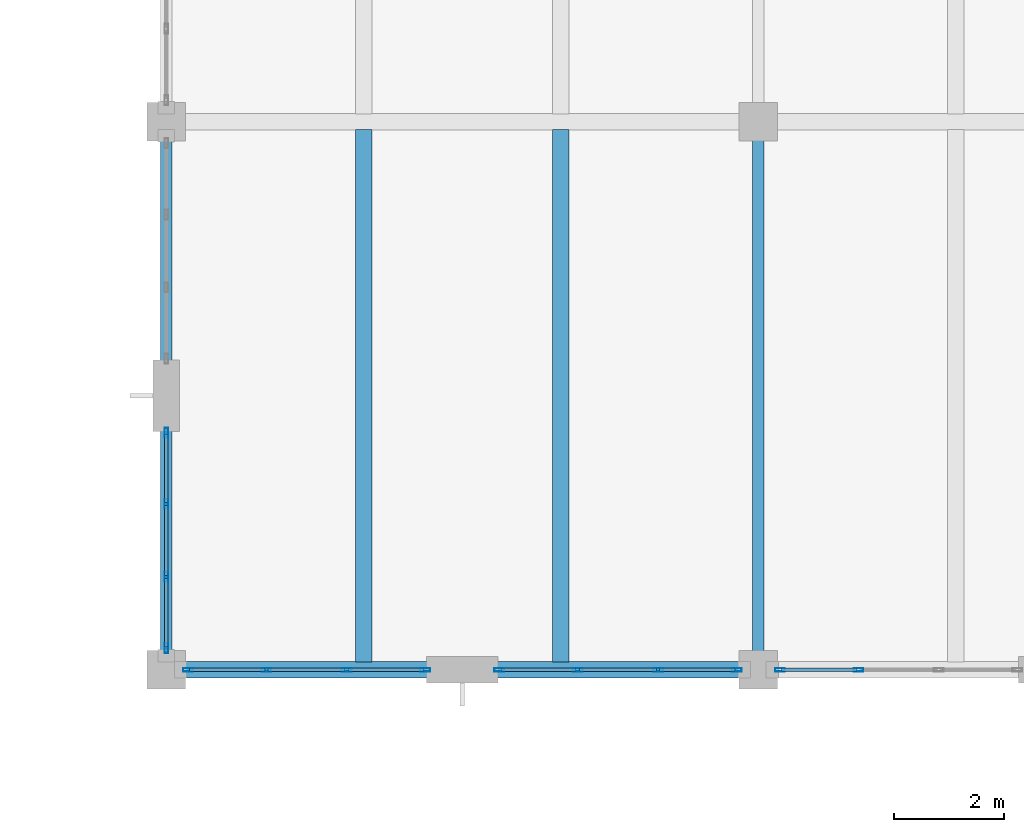
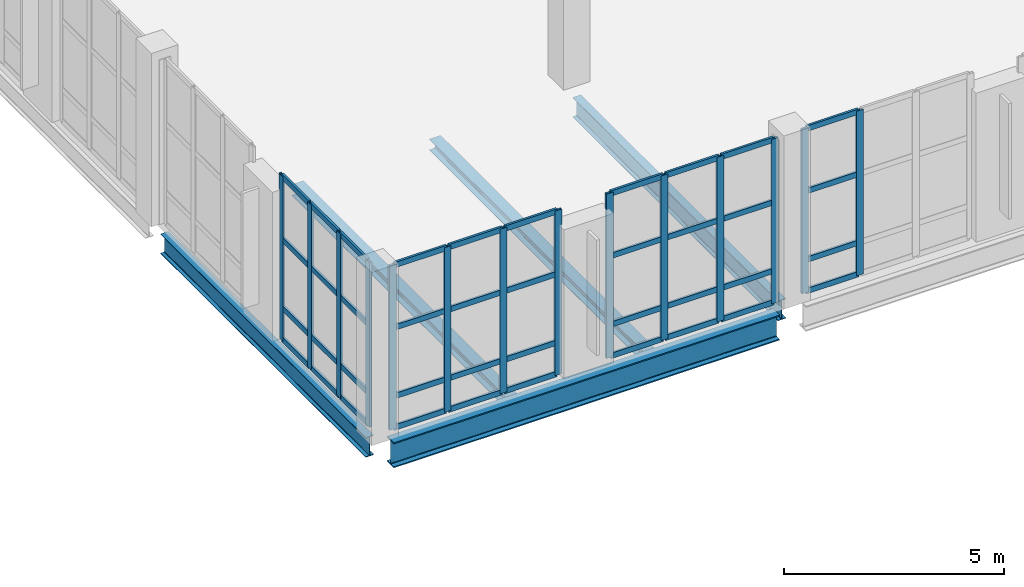
# One storey, part 27 of 92: 54 members, 5 beams, 4 elements without a shape of their own.
"""IFC4 building model written with IfcOpenShell, lengths in metres."""

from ifc_helpers import new_model, si_unit, direction, frame, origin, origin_2d, place, context, subcontext, project, spatial, hollow_rectangle, i_section, extrude, material, layer, layer_set, material_profile, profile_set, type_object, element, aggregate, save


model = new_model("IFC4")

# Units and contexts
model_context = context("Model", 3, precision=1e-05, world=origin(), true_north=direction((0.0, 1.0)))
body_context = subcontext(model_context, "Body", "Model", "MODEL_VIEW")
ifc_project = project(units=[si_unit("LENGTHUNIT", "METRE"), si_unit("AREAUNIT", "SQUARE_METRE"), si_unit("VOLUMEUNIT", "CUBIC_METRE"), si_unit("PLANEANGLEUNIT", "RADIAN"), si_unit("MASSUNIT", "GRAM", prefix="KILO")], contexts=[model_context])

# Site, building, storey
site_placement = place(None, origin())
site = spatial("IfcSite", under=ifc_project, at=site_placement, CompositionType="ELEMENT")
building_placement = place(site_placement, origin())
building = spatial("IfcBuilding", under=site, at=building_placement, Name="Tasgan Crest Museum", CompositionType="ELEMENT")
storey_placement = place(building_placement, frame((0.0, 0.0, 4.800048828125)))
storey = spatial("IfcBuildingStorey", under=building, at=storey_placement, Name="L01", CompositionType="ELEMENT", Elevation=4.800048828125)

# Beams
ifc_material_1 = material(Name="Steel S355K2", Category="steel")
ifc_material_profile_1 = material_profile(ifc_material_1, i_section(OverallWidth=0.300048828125, OverallDepth=0.699951171875, WebThickness=0.01708984375, FlangeThickness=0.031982421875, FilletRadius=0.027099609375, at=origin_2d()), Name="HEB 700")
ifc_profile_set_1 = profile_set([ifc_material_profile_1], Name="Steel S355K2")
beam_type_1 = type_object("IfcBeamType", Name="BM-G-HEB700", PredefinedType="BEAM", material=ifc_profile_set_1)
beam_placement = place(storey_placement, frame((108.345947265625, 10.0, -0.630126953125), z_axis=(1.0, 0.0, 0.0), x_axis=(0.0, 1.0, 0.0)))
element("IfcBeam", 1, at=beam_placement, inside=storey, type_object=beam_type_1, Name="Girder L01 B 108.0-118.8", PredefinedType="BEAM", context=body_context, shape_type="SweptSolid", body=[
    extrude(i_section(OverallWidth=0.300048828125, OverallDepth=0.699951171875, WebThickness=0.01708984375, FlangeThickness=0.031982421875, FilletRadius=0.027099609375, at=origin_2d()), origin(), (0.0, 0.0, 1.0), 10.108154296875),
])
ifc_material_2 = material(Name="Steel S355J2", Category="steel")
ifc_material_profile_2 = material_profile(ifc_material_2, i_section(OverallWidth=0.2099609375, OverallDepth=0.550048828125, WebThickness=0.010986328125, FlangeThickness=0.01708984375, FilletRadius=0.02392578125, at=origin_2d()), Name="IPE 550")
ifc_profile_set_2 = profile_set([ifc_material_profile_2], Name="Steel S355J2")
beam_type_2 = type_object("IfcBeamType", Name="BM-G-IPE550", PredefinedType="BEAM", material=ifc_profile_set_2)
for number, where, z_axis, x_axis, name in (
    (2, (108.0, 10.344970703125, -0.554931640625), (0.0, 1.0, 0.0), (-1.0, 0.0, 0.0), "Beam L01 11 10.0-20.0"),
    (3, (118.800048828125, 10.344970703125, -0.554931640625), (0.0, 1.0, 0.0), (-1.0, 0.0, 0.0), "Beam L01 12 10.0-20.0"),
):
    element("IfcBeam", number, at=place(storey_placement, frame(where, z_axis=z_axis, x_axis=x_axis)), inside=storey, type_object=beam_type_2, Name=name, PredefinedType="BEAM", context=body_context, shape_type="SweptSolid", body=[
        extrude(i_section(OverallWidth=0.2099609375, OverallDepth=0.550048828125, WebThickness=0.010986328125, FlangeThickness=0.01708984375, FilletRadius=0.02392578125, at=origin_2d()), origin(), (0.0, 0.0, 1.0), 9.31005859375),
    ])
ifc_material_3 = material(Name="Steel S355J2", Category="steel")
ifc_material_profile_3 = material_profile(ifc_material_3, i_section(OverallWidth=0.300048828125, OverallDepth=0.31005859375, WebThickness=0.009033203125, FlangeThickness=0.015380859375, FilletRadius=0.027099609375, at=origin_2d()), Name="HEA 320")
ifc_profile_set_3 = profile_set([ifc_material_profile_3], Name="Steel S355J2")
beam_type_3 = type_object("IfcBeamType", Name="BM-J-HEA320", PredefinedType="JOIST", material=ifc_profile_set_3)
for number, where, z_axis, x_axis, name in (
    (4, (111.60009765625, 10.14501953125, -0.43505859375), (0.0, 1.0, 0.0), (-1.0, 0.0, 0.0), "Secondary joist L01 X=111.6 Y=10.0-20.0"),
    (5, (115.199951171875, 10.14501953125, -0.43505859375), (0.0, 1.0, 0.0), (-1.0, 0.0, 0.0), "Secondary joist L01 X=115.2 Y=10.0-20.0"),
):
    element("IfcBeam", number, at=place(storey_placement, frame(where, z_axis=z_axis, x_axis=x_axis)), inside=storey, type_object=beam_type_3, Name=name, PredefinedType="JOIST", context=body_context, shape_type="SweptSolid", body=[
        extrude(i_section(OverallWidth=0.300048828125, OverallDepth=0.31005859375, WebThickness=0.009033203125, FlangeThickness=0.015380859375, FilletRadius=0.027099609375, at=origin_2d()), origin(), (0.0, 0.0, 1.0), 9.7099609375),
    ])

# Curtain wall, members
ifc_material_4 = material(Name="Triple-Glazed Aluminium Curtain Wall", Category="aluminium")
ifc_layer_1 = layer(ifc_material_4, 0.179931640625, Name="CW-PORCH-Y")
ifc_layer_set_1 = layer_set([ifc_layer_1], Name="Triple-Glazed Aluminium Curtain Wall")
curtain_wall_type_1 = type_object("IfcCurtainWallType", Name="CW-PORCH-Y", PredefinedType="NOTDEFINED", material=ifc_layer_set_1)
curtain_wall_1_placement = place(storey_placement, origin())
curtain_wall_1 = element("IfcCurtainWall", 6, at=curtain_wall_1_placement, inside=storey, type_object=curtain_wall_type_1, Name="Curtain wall L01 042", PredefinedType="NOTDEFINED")
ifc_material_5 = material(Name="Anodised Aluminium", Category="aluminium")
ifc_material_profile_4 = material_profile(ifc_material_5, hollow_rectangle(XDim=0.06494140625, YDim=0.179931640625, WallThickness=0.0048828125, at=origin_2d()), Name="ALU MULLION 180x65x5")
ifc_profile_set_4 = profile_set([ifc_material_profile_4], Name="Anodised Aluminium")
member_type_1 = type_object("IfcMemberType", Name="CW-MULLION-180", PredefinedType="MULLION", material=ifc_profile_set_4)
member_1_placement = place(storey_placement, frame((108.0, 14.324951171875, 0.0), z_axis=(0.0, 0.0, 1.0), x_axis=(1.0, 0.0, 0.0)))
member_1 = element("IfcMember", 7, at=member_1_placement, type_object=member_type_1, Name="CW02 mullion 1", PredefinedType="MULLION", context=body_context, shape_type="SweptSolid", body=[
    extrude(hollow_rectangle(XDim=0.06494140625, YDim=0.179931640625, WallThickness=0.0048828125, at=origin_2d()), origin(), (0.0, 0.0, 1.0), 4.56005859375),
])
member_2_placement = place(storey_placement, frame((108.0, 13.02490234375, 0.0), z_axis=(0.0, 0.0, 1.0), x_axis=(1.0, 0.0, 0.0)))
member_2 = element("IfcMember", 8, at=member_2_placement, type_object=member_type_1, Name="CW02 mullion 2", PredefinedType="MULLION", context=body_context, shape_type="SweptSolid", body=[
    extrude(hollow_rectangle(XDim=0.06494140625, YDim=0.179931640625, WallThickness=0.0048828125, at=origin_2d()), origin(), (0.0, 0.0, 1.0), 4.56005859375),
])
member_3_placement = place(storey_placement, frame((108.0, 11.695068359375, 0.0), z_axis=(0.0, 0.0, 1.0), x_axis=(1.0, 0.0, 0.0)))
member_3 = element("IfcMember", 9, at=member_3_placement, type_object=member_type_1, Name="CW02 mullion 3", PredefinedType="MULLION", context=body_context, shape_type="SweptSolid", body=[
    extrude(hollow_rectangle(XDim=0.06494140625, YDim=0.179931640625, WallThickness=0.0048828125, at=origin_2d()), origin(), (0.0, 0.0, 1.0), 4.56005859375),
])
member_4_placement = place(storey_placement, frame((108.0, 10.39501953125, 0.0), z_axis=(0.0, 0.0, 1.0), x_axis=(1.0, 0.0, 0.0)))
member_4 = element("IfcMember", 10, at=member_4_placement, type_object=member_type_1, Name="CW02 mullion 4", PredefinedType="MULLION", context=body_context, shape_type="SweptSolid", body=[
    extrude(hollow_rectangle(XDim=0.06494140625, YDim=0.179931640625, WallThickness=0.0048828125, at=origin_2d()), origin(), (0.0, 0.0, 1.0), 4.56005859375),
])

ifc_material_6 = material(Name="Triple-Glazed Aluminium Curtain Wall", Category="aluminium")
ifc_layer_2 = layer(ifc_material_6, 0.179931640625, Name="CW-PORCH-X")
ifc_layer_set_2 = layer_set([ifc_layer_2], Name="Triple-Glazed Aluminium Curtain Wall")
curtain_wall_type_2 = type_object("IfcCurtainWallType", Name="CW-PORCH-X", PredefinedType="NOTDEFINED", material=ifc_layer_set_2)
curtain_wall_2_placement = place(storey_placement, origin())
curtain_wall_2 = element("IfcCurtainWall", 11, at=curtain_wall_2_placement, inside=storey, type_object=curtain_wall_type_2, Name="Curtain wall L01 043", PredefinedType="NOTDEFINED")
member_5_placement = place(storey_placement, frame((108.39501953125, 10.0, 0.0), z_axis=(0.0, 0.0, 1.0), x_axis=(0.0, 1.0, 0.0)))
member_5 = element("IfcMember", 12, at=member_5_placement, type_object=member_type_1, Name="CW01 mullion 1", PredefinedType="MULLION", context=body_context, shape_type="SweptSolid", body=[
    extrude(hollow_rectangle(XDim=0.06494140625, YDim=0.179931640625, WallThickness=0.0048828125, at=origin_2d()), origin(), (0.0, 0.0, 1.0), 4.56005859375),
])
member_6_placement = place(storey_placement, frame((109.828369140625, 10.0, 0.0), z_axis=(0.0, 0.0, 1.0), x_axis=(0.0, 1.0, 0.0)))
member_6 = element("IfcMember", 13, at=member_6_placement, type_object=member_type_1, Name="CW01 mullion 2", PredefinedType="MULLION", context=body_context, shape_type="SweptSolid", body=[
    extrude(hollow_rectangle(XDim=0.06494140625, YDim=0.179931640625, WallThickness=0.0048828125, at=origin_2d()), origin(), (0.0, 0.0, 1.0), 4.56005859375),
])
member_7_placement = place(storey_placement, frame((111.291748046875, 10.0, 0.0), z_axis=(0.0, 0.0, 1.0), x_axis=(0.0, 1.0, 0.0)))
member_7 = element("IfcMember", 14, at=member_7_placement, type_object=member_type_1, Name="CW01 mullion 3", PredefinedType="MULLION", context=body_context, shape_type="SweptSolid", body=[
    extrude(hollow_rectangle(XDim=0.06494140625, YDim=0.179931640625, WallThickness=0.0048828125, at=origin_2d()), origin(), (0.0, 0.0, 1.0), 4.56005859375),
])
member_8_placement = place(storey_placement, frame((112.72509765625, 10.0, 0.0), z_axis=(0.0, 0.0, 1.0), x_axis=(0.0, 1.0, 0.0)))
member_8 = element("IfcMember", 15, at=member_8_placement, type_object=member_type_1, Name="CW01 mullion 4", PredefinedType="MULLION", context=body_context, shape_type="SweptSolid", body=[
    extrude(hollow_rectangle(XDim=0.06494140625, YDim=0.179931640625, WallThickness=0.0048828125, at=origin_2d()), origin(), (0.0, 0.0, 1.0), 4.56005859375),
])

curtain_wall_3_placement = place(storey_placement, origin())
curtain_wall_3 = element("IfcCurtainWall", 16, at=curtain_wall_3_placement, inside=storey, type_object=curtain_wall_type_2, Name="Curtain wall L01 044", PredefinedType="NOTDEFINED")
member_9_placement = place(storey_placement, frame((114.074951171875, 10.0, 0.0), z_axis=(0.0, 0.0, 1.0), x_axis=(0.0, 1.0, 0.0)))
member_9 = element("IfcMember", 17, at=member_9_placement, type_object=member_type_1, Name="CW01 mullion 1", PredefinedType="MULLION", context=body_context, shape_type="SweptSolid", body=[
    extrude(hollow_rectangle(XDim=0.06494140625, YDim=0.179931640625, WallThickness=0.0048828125, at=origin_2d()), origin(), (0.0, 0.0, 1.0), 4.56005859375),
])
member_10_placement = place(storey_placement, frame((115.50830078125, 10.0, 0.0), z_axis=(0.0, 0.0, 1.0), x_axis=(0.0, 1.0, 0.0)))
member_10 = element("IfcMember", 18, at=member_10_placement, type_object=member_type_1, Name="CW01 mullion 2", PredefinedType="MULLION", context=body_context, shape_type="SweptSolid", body=[
    extrude(hollow_rectangle(XDim=0.06494140625, YDim=0.179931640625, WallThickness=0.0048828125, at=origin_2d()), origin(), (0.0, 0.0, 1.0), 4.56005859375),
])
member_11_placement = place(storey_placement, frame((116.9716796875, 10.0, 0.0), z_axis=(0.0, 0.0, 1.0), x_axis=(0.0, 1.0, 0.0)))
member_11 = element("IfcMember", 19, at=member_11_placement, type_object=member_type_1, Name="CW01 mullion 3", PredefinedType="MULLION", context=body_context, shape_type="SweptSolid", body=[
    extrude(hollow_rectangle(XDim=0.06494140625, YDim=0.179931640625, WallThickness=0.0048828125, at=origin_2d()), origin(), (0.0, 0.0, 1.0), 4.56005859375),
])
member_12_placement = place(storey_placement, frame((118.405029296875, 10.0, 0.0), z_axis=(0.0, 0.0, 1.0), x_axis=(0.0, 1.0, 0.0)))
member_12 = element("IfcMember", 20, at=member_12_placement, type_object=member_type_1, Name="CW01 mullion 4", PredefinedType="MULLION", context=body_context, shape_type="SweptSolid", body=[
    extrude(hollow_rectangle(XDim=0.06494140625, YDim=0.179931640625, WallThickness=0.0048828125, at=origin_2d()), origin(), (0.0, 0.0, 1.0), 4.56005859375),
])

curtain_wall_4_placement = place(storey_placement, origin())
curtain_wall_4 = element("IfcCurtainWall", 21, at=curtain_wall_4_placement, inside=storey, type_object=curtain_wall_type_2, Name="Curtain wall L01 045", PredefinedType="NOTDEFINED")
member_13_placement = place(storey_placement, frame((119.195068359375, 10.0, 0.0), z_axis=(0.0, 0.0, 1.0), x_axis=(0.0, 1.0, 0.0)))
member_13 = element("IfcMember", 22, at=member_13_placement, type_object=member_type_1, Name="CW01 mullion 1", PredefinedType="MULLION", context=body_context, shape_type="SweptSolid", body=[
    extrude(hollow_rectangle(XDim=0.06494140625, YDim=0.179931640625, WallThickness=0.0048828125, at=origin_2d()), origin(), (0.0, 0.0, 1.0), 4.56005859375),
])
member_14_placement = place(storey_placement, frame((120.62841796875, 10.0, 0.0), z_axis=(0.0, 0.0, 1.0), x_axis=(0.0, 1.0, 0.0)))
member_14 = element("IfcMember", 23, at=member_14_placement, type_object=member_type_1, Name="CW01 mullion 2", PredefinedType="MULLION", context=body_context, shape_type="SweptSolid", body=[
    extrude(hollow_rectangle(XDim=0.06494140625, YDim=0.179931640625, WallThickness=0.0048828125, at=origin_2d()), origin(), (0.0, 0.0, 1.0), 4.56005859375),
])

# Member
ifc_material_7 = material(Name="Anodised Aluminium", Category="aluminium")
ifc_material_profile_5 = material_profile(ifc_material_7, hollow_rectangle(XDim=0.06005859375, YDim=0.14990234375, WallThickness=0.0048828125, at=origin_2d()), Name="ALU TRANSOM 150x60x5")
ifc_profile_set_5 = profile_set([ifc_material_profile_5], Name="Anodised Aluminium")
member_type_2 = type_object("IfcMemberType", Name="CW-TRANSOM-150", PredefinedType="USERDEFINED", material=ifc_profile_set_5)
member_15_placement = place(storey_placement, frame((108.0, 14.294921875, 0.030029296875), z_axis=(0.0, -1.0, 0.0), x_axis=(1.0, 0.0, 0.0)))
member_15 = element("IfcMember", 24, at=member_15_placement, type_object=member_type_2, Name="CW02 transom 1.1", ObjectType="TRANSOM", PredefinedType="USERDEFINED", context=body_context, shape_type="SweptSolid", body=[
    extrude(hollow_rectangle(XDim=0.06005859375, YDim=0.14990234375, WallThickness=0.0048828125, at=origin_2d()), origin(), (0.0, 0.0, 1.0), 1.239990234375),
])

member_16_placement = place(storey_placement, frame((108.0, 14.294921875, 0.89990234375), z_axis=(0.0, -1.0, 0.0), x_axis=(1.0, 0.0, 0.0)))
member_16 = element("IfcMember", 25, at=member_16_placement, type_object=member_type_2, Name="CW02 transom 1.2", ObjectType="TRANSOM", PredefinedType="USERDEFINED", context=body_context, shape_type="SweptSolid", body=[
    extrude(hollow_rectangle(XDim=0.06005859375, YDim=0.14990234375, WallThickness=0.0048828125, at=origin_2d()), origin(), (0.0, 0.0, 1.0), 1.239990234375),
])

member_17_placement = place(storey_placement, frame((108.0, 14.294921875, 2.800048828125), z_axis=(0.0, -1.0, 0.0), x_axis=(1.0, 0.0, 0.0)))
member_17 = element("IfcMember", 26, at=member_17_placement, type_object=member_type_2, Name="CW02 transom 1.3", ObjectType="TRANSOM", PredefinedType="USERDEFINED", context=body_context, shape_type="SweptSolid", body=[
    extrude(hollow_rectangle(XDim=0.06005859375, YDim=0.14990234375, WallThickness=0.0048828125, at=origin_2d()), origin(), (0.0, 0.0, 1.0), 1.239990234375),
])

member_18_placement = place(storey_placement, frame((108.0, 14.294921875, 4.530029296875), z_axis=(0.0, -1.0, 0.0), x_axis=(1.0, 0.0, 0.0)))
member_18 = element("IfcMember", 27, at=member_18_placement, type_object=member_type_2, Name="CW02 transom 1.4", ObjectType="TRANSOM", PredefinedType="USERDEFINED", context=body_context, shape_type="SweptSolid", body=[
    extrude(hollow_rectangle(XDim=0.06005859375, YDim=0.14990234375, WallThickness=0.0048828125, at=origin_2d()), origin(), (0.0, 0.0, 1.0), 1.239990234375),
])

member_19_placement = place(storey_placement, frame((108.0, 12.9951171875, 0.030029296875), z_axis=(0.0, -1.0, 0.0), x_axis=(1.0, 0.0, 0.0)))
member_19 = element("IfcMember", 28, at=member_19_placement, type_object=member_type_2, Name="CW02 transom 2.1", ObjectType="TRANSOM", PredefinedType="USERDEFINED", context=body_context, shape_type="SweptSolid", body=[
    extrude(hollow_rectangle(XDim=0.06005859375, YDim=0.14990234375, WallThickness=0.0048828125, at=origin_2d()), origin(), (0.0, 0.0, 1.0), 1.27001953125),
])

member_20_placement = place(storey_placement, frame((108.0, 12.9951171875, 0.89990234375), z_axis=(0.0, -1.0, 0.0), x_axis=(1.0, 0.0, 0.0)))
member_20 = element("IfcMember", 29, at=member_20_placement, type_object=member_type_2, Name="CW02 transom 2.2", ObjectType="TRANSOM", PredefinedType="USERDEFINED", context=body_context, shape_type="SweptSolid", body=[
    extrude(hollow_rectangle(XDim=0.06005859375, YDim=0.14990234375, WallThickness=0.0048828125, at=origin_2d()), origin(), (0.0, 0.0, 1.0), 1.27001953125),
])

member_21_placement = place(storey_placement, frame((108.0, 12.9951171875, 2.800048828125), z_axis=(0.0, -1.0, 0.0), x_axis=(1.0, 0.0, 0.0)))
member_21 = element("IfcMember", 30, at=member_21_placement, type_object=member_type_2, Name="CW02 transom 2.3", ObjectType="TRANSOM", PredefinedType="USERDEFINED", context=body_context, shape_type="SweptSolid", body=[
    extrude(hollow_rectangle(XDim=0.06005859375, YDim=0.14990234375, WallThickness=0.0048828125, at=origin_2d()), origin(), (0.0, 0.0, 1.0), 1.27001953125),
])

member_22_placement = place(storey_placement, frame((108.0, 12.9951171875, 4.530029296875), z_axis=(0.0, -1.0, 0.0), x_axis=(1.0, 0.0, 0.0)))
member_22 = element("IfcMember", 31, at=member_22_placement, type_object=member_type_2, Name="CW02 transom 2.4", ObjectType="TRANSOM", PredefinedType="USERDEFINED", context=body_context, shape_type="SweptSolid", body=[
    extrude(hollow_rectangle(XDim=0.06005859375, YDim=0.14990234375, WallThickness=0.0048828125, at=origin_2d()), origin(), (0.0, 0.0, 1.0), 1.27001953125),
])

member_23_placement = place(storey_placement, frame((108.0, 11.6650390625, 0.030029296875), z_axis=(0.0, -1.0, 0.0), x_axis=(1.0, 0.0, 0.0)))
member_23 = element("IfcMember", 32, at=member_23_placement, type_object=member_type_2, Name="CW02 transom 3.1", ObjectType="TRANSOM", PredefinedType="USERDEFINED", context=body_context, shape_type="SweptSolid", body=[
    extrude(hollow_rectangle(XDim=0.06005859375, YDim=0.14990234375, WallThickness=0.0048828125, at=origin_2d()), origin(), (0.0, 0.0, 1.0), 1.239990234375),
])

member_24_placement = place(storey_placement, frame((108.0, 11.6650390625, 0.89990234375), z_axis=(0.0, -1.0, 0.0), x_axis=(1.0, 0.0, 0.0)))
member_24 = element("IfcMember", 33, at=member_24_placement, type_object=member_type_2, Name="CW02 transom 3.2", ObjectType="TRANSOM", PredefinedType="USERDEFINED", context=body_context, shape_type="SweptSolid", body=[
    extrude(hollow_rectangle(XDim=0.06005859375, YDim=0.14990234375, WallThickness=0.0048828125, at=origin_2d()), origin(), (0.0, 0.0, 1.0), 1.239990234375),
])

member_25_placement = place(storey_placement, frame((108.0, 11.6650390625, 2.800048828125), z_axis=(0.0, -1.0, 0.0), x_axis=(1.0, 0.0, 0.0)))
member_25 = element("IfcMember", 34, at=member_25_placement, type_object=member_type_2, Name="CW02 transom 3.3", ObjectType="TRANSOM", PredefinedType="USERDEFINED", context=body_context, shape_type="SweptSolid", body=[
    extrude(hollow_rectangle(XDim=0.06005859375, YDim=0.14990234375, WallThickness=0.0048828125, at=origin_2d()), origin(), (0.0, 0.0, 1.0), 1.239990234375),
])

member_26_placement = place(storey_placement, frame((108.0, 11.6650390625, 4.530029296875), z_axis=(0.0, -1.0, 0.0), x_axis=(1.0, 0.0, 0.0)))
member_26 = element("IfcMember", 35, at=member_26_placement, type_object=member_type_2, Name="CW02 transom 3.4", ObjectType="TRANSOM", PredefinedType="USERDEFINED", context=body_context, shape_type="SweptSolid", body=[
    extrude(hollow_rectangle(XDim=0.06005859375, YDim=0.14990234375, WallThickness=0.0048828125, at=origin_2d()), origin(), (0.0, 0.0, 1.0), 1.239990234375),
])

aggregate(curtain_wall_1, [member_1, member_2, member_3, member_4, member_15, member_16, member_17, member_18, member_19, member_20, member_21, member_22, member_23, member_24, member_25, member_26])

member_27_placement = place(storey_placement, frame((108.425048828125, 10.0, 0.030029296875), z_axis=(1.0, 0.0, 0.0), x_axis=(0.0, 1.0, 0.0)))
member_27 = element("IfcMember", 36, at=member_27_placement, type_object=member_type_2, Name="CW01 transom 1.1", ObjectType="TRANSOM", PredefinedType="USERDEFINED", context=body_context, shape_type="SweptSolid", body=[
    extrude(hollow_rectangle(XDim=0.06005859375, YDim=0.14990234375, WallThickness=0.0048828125, at=origin_2d()), origin(), (0.0, 0.0, 1.0), 1.373291015625),
])

member_28_placement = place(storey_placement, frame((108.425048828125, 10.0, 0.89990234375), z_axis=(1.0, 0.0, 0.0), x_axis=(0.0, 1.0, 0.0)))
member_28 = element("IfcMember", 37, at=member_28_placement, type_object=member_type_2, Name="CW01 transom 1.2", ObjectType="TRANSOM", PredefinedType="USERDEFINED", context=body_context, shape_type="SweptSolid", body=[
    extrude(hollow_rectangle(XDim=0.06005859375, YDim=0.14990234375, WallThickness=0.0048828125, at=origin_2d()), origin(), (0.0, 0.0, 1.0), 1.373291015625),
])

member_29_placement = place(storey_placement, frame((108.425048828125, 10.0, 2.800048828125), z_axis=(1.0, 0.0, 0.0), x_axis=(0.0, 1.0, 0.0)))
member_29 = element("IfcMember", 38, at=member_29_placement, type_object=member_type_2, Name="CW01 transom 1.3", ObjectType="TRANSOM", PredefinedType="USERDEFINED", context=body_context, shape_type="SweptSolid", body=[
    extrude(hollow_rectangle(XDim=0.06005859375, YDim=0.14990234375, WallThickness=0.0048828125, at=origin_2d()), origin(), (0.0, 0.0, 1.0), 1.373291015625),
])

member_30_placement = place(storey_placement, frame((108.425048828125, 10.0, 4.530029296875), z_axis=(1.0, 0.0, 0.0), x_axis=(0.0, 1.0, 0.0)))
member_30 = element("IfcMember", 39, at=member_30_placement, type_object=member_type_2, Name="CW01 transom 1.4", ObjectType="TRANSOM", PredefinedType="USERDEFINED", context=body_context, shape_type="SweptSolid", body=[
    extrude(hollow_rectangle(XDim=0.06005859375, YDim=0.14990234375, WallThickness=0.0048828125, at=origin_2d()), origin(), (0.0, 0.0, 1.0), 1.373291015625),
])

member_31_placement = place(storey_placement, frame((109.8583984375, 10.0, 0.030029296875), z_axis=(1.0, 0.0, 0.0), x_axis=(0.0, 1.0, 0.0)))
member_31 = element("IfcMember", 40, at=member_31_placement, type_object=member_type_2, Name="CW01 transom 2.1", ObjectType="TRANSOM", PredefinedType="USERDEFINED", context=body_context, shape_type="SweptSolid", body=[
    extrude(hollow_rectangle(XDim=0.06005859375, YDim=0.14990234375, WallThickness=0.0048828125, at=origin_2d()), origin(), (0.0, 0.0, 1.0), 1.4033203125),
])

member_32_placement = place(storey_placement, frame((109.8583984375, 10.0, 0.89990234375), z_axis=(1.0, 0.0, 0.0), x_axis=(0.0, 1.0, 0.0)))
member_32 = element("IfcMember", 41, at=member_32_placement, type_object=member_type_2, Name="CW01 transom 2.2", ObjectType="TRANSOM", PredefinedType="USERDEFINED", context=body_context, shape_type="SweptSolid", body=[
    extrude(hollow_rectangle(XDim=0.06005859375, YDim=0.14990234375, WallThickness=0.0048828125, at=origin_2d()), origin(), (0.0, 0.0, 1.0), 1.4033203125),
])

member_33_placement = place(storey_placement, frame((109.8583984375, 10.0, 2.800048828125), z_axis=(1.0, 0.0, 0.0), x_axis=(0.0, 1.0, 0.0)))
member_33 = element("IfcMember", 42, at=member_33_placement, type_object=member_type_2, Name="CW01 transom 2.3", ObjectType="TRANSOM", PredefinedType="USERDEFINED", context=body_context, shape_type="SweptSolid", body=[
    extrude(hollow_rectangle(XDim=0.06005859375, YDim=0.14990234375, WallThickness=0.0048828125, at=origin_2d()), origin(), (0.0, 0.0, 1.0), 1.4033203125),
])

member_34_placement = place(storey_placement, frame((109.8583984375, 10.0, 4.530029296875), z_axis=(1.0, 0.0, 0.0), x_axis=(0.0, 1.0, 0.0)))
member_34 = element("IfcMember", 43, at=member_34_placement, type_object=member_type_2, Name="CW01 transom 2.4", ObjectType="TRANSOM", PredefinedType="USERDEFINED", context=body_context, shape_type="SweptSolid", body=[
    extrude(hollow_rectangle(XDim=0.06005859375, YDim=0.14990234375, WallThickness=0.0048828125, at=origin_2d()), origin(), (0.0, 0.0, 1.0), 1.4033203125),
])

member_35_placement = place(storey_placement, frame((111.32177734375, 10.0, 0.030029296875), z_axis=(1.0, 0.0, 0.0), x_axis=(0.0, 1.0, 0.0)))
member_35 = element("IfcMember", 44, at=member_35_placement, type_object=member_type_2, Name="CW01 transom 3.1", ObjectType="TRANSOM", PredefinedType="USERDEFINED", context=body_context, shape_type="SweptSolid", body=[
    extrude(hollow_rectangle(XDim=0.06005859375, YDim=0.14990234375, WallThickness=0.0048828125, at=origin_2d()), origin(), (0.0, 0.0, 1.0), 1.373291015625),
])

member_36_placement = place(storey_placement, frame((111.32177734375, 10.0, 0.89990234375), z_axis=(1.0, 0.0, 0.0), x_axis=(0.0, 1.0, 0.0)))
member_36 = element("IfcMember", 45, at=member_36_placement, type_object=member_type_2, Name="CW01 transom 3.2", ObjectType="TRANSOM", PredefinedType="USERDEFINED", context=body_context, shape_type="SweptSolid", body=[
    extrude(hollow_rectangle(XDim=0.06005859375, YDim=0.14990234375, WallThickness=0.0048828125, at=origin_2d()), origin(), (0.0, 0.0, 1.0), 1.373291015625),
])

member_37_placement = place(storey_placement, frame((111.32177734375, 10.0, 2.800048828125), z_axis=(1.0, 0.0, 0.0), x_axis=(0.0, 1.0, 0.0)))
member_37 = element("IfcMember", 46, at=member_37_placement, type_object=member_type_2, Name="CW01 transom 3.3", ObjectType="TRANSOM", PredefinedType="USERDEFINED", context=body_context, shape_type="SweptSolid", body=[
    extrude(hollow_rectangle(XDim=0.06005859375, YDim=0.14990234375, WallThickness=0.0048828125, at=origin_2d()), origin(), (0.0, 0.0, 1.0), 1.373291015625),
])

member_38_placement = place(storey_placement, frame((111.32177734375, 10.0, 4.530029296875), z_axis=(1.0, 0.0, 0.0), x_axis=(0.0, 1.0, 0.0)))
member_38 = element("IfcMember", 47, at=member_38_placement, type_object=member_type_2, Name="CW01 transom 3.4", ObjectType="TRANSOM", PredefinedType="USERDEFINED", context=body_context, shape_type="SweptSolid", body=[
    extrude(hollow_rectangle(XDim=0.06005859375, YDim=0.14990234375, WallThickness=0.0048828125, at=origin_2d()), origin(), (0.0, 0.0, 1.0), 1.373291015625),
])

aggregate(curtain_wall_2, [member_5, member_6, member_7, member_8, member_27, member_28, member_29, member_30, member_31, member_32, member_33, member_34, member_35, member_36, member_37, member_38])

member_39_placement = place(storey_placement, frame((114.10498046875, 10.0, 0.030029296875), z_axis=(1.0, 0.0, 0.0), x_axis=(0.0, 1.0, 0.0)))
member_39 = element("IfcMember", 48, at=member_39_placement, type_object=member_type_2, Name="CW01 transom 1.1", ObjectType="TRANSOM", PredefinedType="USERDEFINED", context=body_context, shape_type="SweptSolid", body=[
    extrude(hollow_rectangle(XDim=0.06005859375, YDim=0.14990234375, WallThickness=0.0048828125, at=origin_2d()), origin(), (0.0, 0.0, 1.0), 1.373291015625),
])

member_40_placement = place(storey_placement, frame((114.10498046875, 10.0, 0.89990234375), z_axis=(1.0, 0.0, 0.0), x_axis=(0.0, 1.0, 0.0)))
member_40 = element("IfcMember", 49, at=member_40_placement, type_object=member_type_2, Name="CW01 transom 1.2", ObjectType="TRANSOM", PredefinedType="USERDEFINED", context=body_context, shape_type="SweptSolid", body=[
    extrude(hollow_rectangle(XDim=0.06005859375, YDim=0.14990234375, WallThickness=0.0048828125, at=origin_2d()), origin(), (0.0, 0.0, 1.0), 1.373291015625),
])

member_41_placement = place(storey_placement, frame((114.10498046875, 10.0, 2.800048828125), z_axis=(1.0, 0.0, 0.0), x_axis=(0.0, 1.0, 0.0)))
member_41 = element("IfcMember", 50, at=member_41_placement, type_object=member_type_2, Name="CW01 transom 1.3", ObjectType="TRANSOM", PredefinedType="USERDEFINED", context=body_context, shape_type="SweptSolid", body=[
    extrude(hollow_rectangle(XDim=0.06005859375, YDim=0.14990234375, WallThickness=0.0048828125, at=origin_2d()), origin(), (0.0, 0.0, 1.0), 1.373291015625),
])

member_42_placement = place(storey_placement, frame((114.10498046875, 10.0, 4.530029296875), z_axis=(1.0, 0.0, 0.0), x_axis=(0.0, 1.0, 0.0)))
member_42 = element("IfcMember", 51, at=member_42_placement, type_object=member_type_2, Name="CW01 transom 1.4", ObjectType="TRANSOM", PredefinedType="USERDEFINED", context=body_context, shape_type="SweptSolid", body=[
    extrude(hollow_rectangle(XDim=0.06005859375, YDim=0.14990234375, WallThickness=0.0048828125, at=origin_2d()), origin(), (0.0, 0.0, 1.0), 1.373291015625),
])

member_43_placement = place(storey_placement, frame((115.538330078125, 10.0, 0.030029296875), z_axis=(1.0, 0.0, 0.0), x_axis=(0.0, 1.0, 0.0)))
member_43 = element("IfcMember", 52, at=member_43_placement, type_object=member_type_2, Name="CW01 transom 2.1", ObjectType="TRANSOM", PredefinedType="USERDEFINED", context=body_context, shape_type="SweptSolid", body=[
    extrude(hollow_rectangle(XDim=0.06005859375, YDim=0.14990234375, WallThickness=0.0048828125, at=origin_2d()), origin(), (0.0, 0.0, 1.0), 1.4033203125),
])

member_44_placement = place(storey_placement, frame((115.538330078125, 10.0, 0.89990234375), z_axis=(1.0, 0.0, 0.0), x_axis=(0.0, 1.0, 0.0)))
member_44 = element("IfcMember", 53, at=member_44_placement, type_object=member_type_2, Name="CW01 transom 2.2", ObjectType="TRANSOM", PredefinedType="USERDEFINED", context=body_context, shape_type="SweptSolid", body=[
    extrude(hollow_rectangle(XDim=0.06005859375, YDim=0.14990234375, WallThickness=0.0048828125, at=origin_2d()), origin(), (0.0, 0.0, 1.0), 1.4033203125),
])

member_45_placement = place(storey_placement, frame((115.538330078125, 10.0, 2.800048828125), z_axis=(1.0, 0.0, 0.0), x_axis=(0.0, 1.0, 0.0)))
member_45 = element("IfcMember", 54, at=member_45_placement, type_object=member_type_2, Name="CW01 transom 2.3", ObjectType="TRANSOM", PredefinedType="USERDEFINED", context=body_context, shape_type="SweptSolid", body=[
    extrude(hollow_rectangle(XDim=0.06005859375, YDim=0.14990234375, WallThickness=0.0048828125, at=origin_2d()), origin(), (0.0, 0.0, 1.0), 1.4033203125),
])

member_46_placement = place(storey_placement, frame((115.538330078125, 10.0, 4.530029296875), z_axis=(1.0, 0.0, 0.0), x_axis=(0.0, 1.0, 0.0)))
member_46 = element("IfcMember", 55, at=member_46_placement, type_object=member_type_2, Name="CW01 transom 2.4", ObjectType="TRANSOM", PredefinedType="USERDEFINED", context=body_context, shape_type="SweptSolid", body=[
    extrude(hollow_rectangle(XDim=0.06005859375, YDim=0.14990234375, WallThickness=0.0048828125, at=origin_2d()), origin(), (0.0, 0.0, 1.0), 1.4033203125),
])

member_47_placement = place(storey_placement, frame((117.001708984375, 10.0, 0.030029296875), z_axis=(1.0, 0.0, 0.0), x_axis=(0.0, 1.0, 0.0)))
member_47 = element("IfcMember", 56, at=member_47_placement, type_object=member_type_2, Name="CW01 transom 3.1", ObjectType="TRANSOM", PredefinedType="USERDEFINED", context=body_context, shape_type="SweptSolid", body=[
    extrude(hollow_rectangle(XDim=0.06005859375, YDim=0.14990234375, WallThickness=0.0048828125, at=origin_2d()), origin(), (0.0, 0.0, 1.0), 1.373291015625),
])

member_48_placement = place(storey_placement, frame((117.001708984375, 10.0, 0.89990234375), z_axis=(1.0, 0.0, 0.0), x_axis=(0.0, 1.0, 0.0)))
member_48 = element("IfcMember", 57, at=member_48_placement, type_object=member_type_2, Name="CW01 transom 3.2", ObjectType="TRANSOM", PredefinedType="USERDEFINED", context=body_context, shape_type="SweptSolid", body=[
    extrude(hollow_rectangle(XDim=0.06005859375, YDim=0.14990234375, WallThickness=0.0048828125, at=origin_2d()), origin(), (0.0, 0.0, 1.0), 1.373291015625),
])

member_49_placement = place(storey_placement, frame((117.001708984375, 10.0, 2.800048828125), z_axis=(1.0, 0.0, 0.0), x_axis=(0.0, 1.0, 0.0)))
member_49 = element("IfcMember", 58, at=member_49_placement, type_object=member_type_2, Name="CW01 transom 3.3", ObjectType="TRANSOM", PredefinedType="USERDEFINED", context=body_context, shape_type="SweptSolid", body=[
    extrude(hollow_rectangle(XDim=0.06005859375, YDim=0.14990234375, WallThickness=0.0048828125, at=origin_2d()), origin(), (0.0, 0.0, 1.0), 1.373291015625),
])

member_50_placement = place(storey_placement, frame((117.001708984375, 10.0, 4.530029296875), z_axis=(1.0, 0.0, 0.0), x_axis=(0.0, 1.0, 0.0)))
member_50 = element("IfcMember", 59, at=member_50_placement, type_object=member_type_2, Name="CW01 transom 3.4", ObjectType="TRANSOM", PredefinedType="USERDEFINED", context=body_context, shape_type="SweptSolid", body=[
    extrude(hollow_rectangle(XDim=0.06005859375, YDim=0.14990234375, WallThickness=0.0048828125, at=origin_2d()), origin(), (0.0, 0.0, 1.0), 1.373291015625),
])

aggregate(curtain_wall_3, [member_9, member_10, member_11, member_12, member_39, member_40, member_41, member_42, member_43, member_44, member_45, member_46, member_47, member_48, member_49, member_50])

member_51_placement = place(storey_placement, frame((119.22509765625, 10.0, 0.030029296875), z_axis=(1.0, 0.0, 0.0), x_axis=(0.0, 1.0, 0.0)))
member_51 = element("IfcMember", 60, at=member_51_placement, type_object=member_type_2, Name="CW01 transom 1.1", ObjectType="TRANSOM", PredefinedType="USERDEFINED", context=body_context, shape_type="SweptSolid", body=[
    extrude(hollow_rectangle(XDim=0.06005859375, YDim=0.14990234375, WallThickness=0.0048828125, at=origin_2d()), origin(), (0.0, 0.0, 1.0), 1.373291015625),
])

member_52_placement = place(storey_placement, frame((119.22509765625, 10.0, 0.89990234375), z_axis=(1.0, 0.0, 0.0), x_axis=(0.0, 1.0, 0.0)))
member_52 = element("IfcMember", 61, at=member_52_placement, type_object=member_type_2, Name="CW01 transom 1.2", ObjectType="TRANSOM", PredefinedType="USERDEFINED", context=body_context, shape_type="SweptSolid", body=[
    extrude(hollow_rectangle(XDim=0.06005859375, YDim=0.14990234375, WallThickness=0.0048828125, at=origin_2d()), origin(), (0.0, 0.0, 1.0), 1.373291015625),
])

member_53_placement = place(storey_placement, frame((119.22509765625, 10.0, 2.800048828125), z_axis=(1.0, 0.0, 0.0), x_axis=(0.0, 1.0, 0.0)))
member_53 = element("IfcMember", 62, at=member_53_placement, type_object=member_type_2, Name="CW01 transom 1.3", ObjectType="TRANSOM", PredefinedType="USERDEFINED", context=body_context, shape_type="SweptSolid", body=[
    extrude(hollow_rectangle(XDim=0.06005859375, YDim=0.14990234375, WallThickness=0.0048828125, at=origin_2d()), origin(), (0.0, 0.0, 1.0), 1.373291015625),
])

member_54_placement = place(storey_placement, frame((119.22509765625, 10.0, 4.530029296875), z_axis=(1.0, 0.0, 0.0), x_axis=(0.0, 1.0, 0.0)))
member_54 = element("IfcMember", 63, at=member_54_placement, type_object=member_type_2, Name="CW01 transom 1.4", ObjectType="TRANSOM", PredefinedType="USERDEFINED", context=body_context, shape_type="SweptSolid", body=[
    extrude(hollow_rectangle(XDim=0.06005859375, YDim=0.14990234375, WallThickness=0.0048828125, at=origin_2d()), origin(), (0.0, 0.0, 1.0), 1.373291015625),
])

aggregate(curtain_wall_4, [member_13, member_14, member_51, member_52, member_53, member_54])

save(model, "model.ifc")
